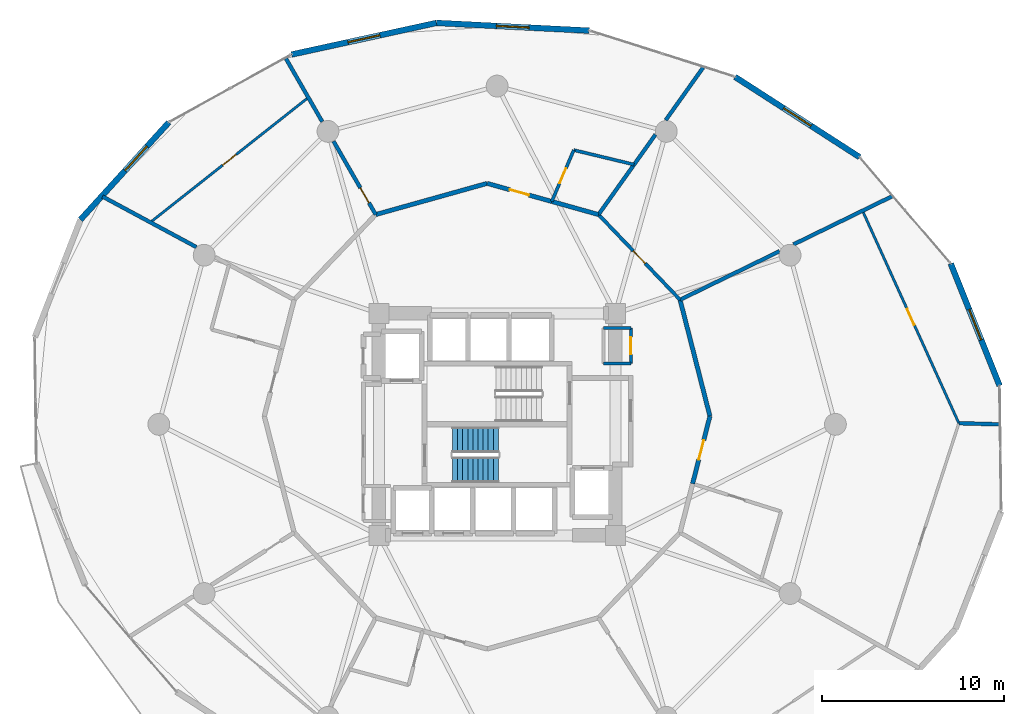
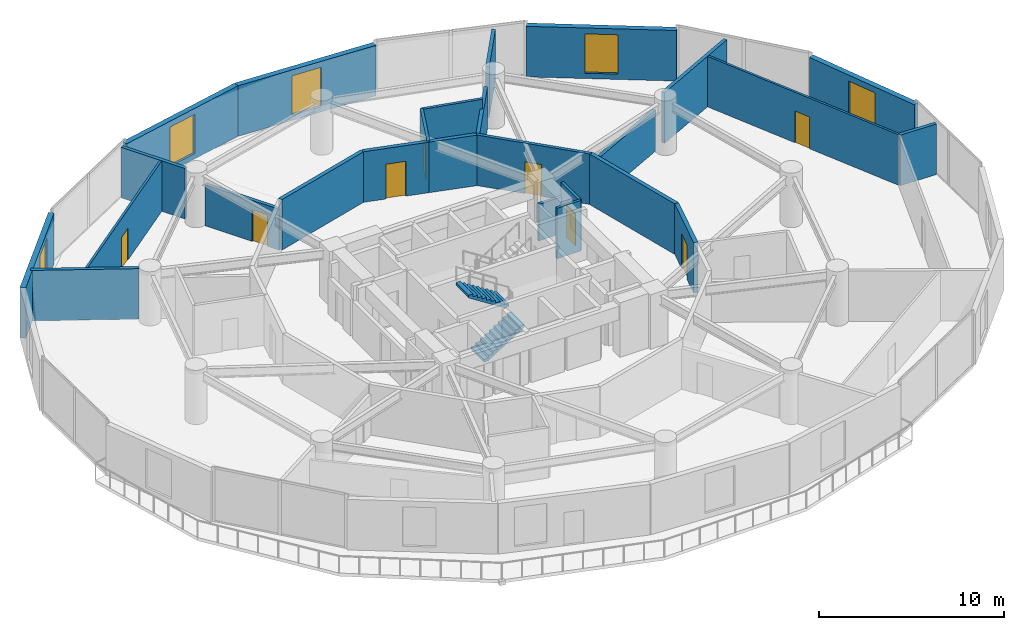
# One storey, part 19 of 23: 26 walls, 8 doors, 5 windows, 2 stair flights, 13 openings, 1 element without a shape of its own.
"""IFC4 building model written with IfcOpenShell, lengths in metres."""

from ifc_helpers import new_model, si_unit, direction, frame, frame_2d, origin, place, context, subcontext, project, spatial, polyline, rectangle, outline, extrude, material, layer, layer_set, type_object, element, fill, aggregate, save


model = new_model("IFC4")

# Units and contexts
model_context = context("Model", 3, precision=1e-05, world=origin(), true_north=direction((0.0, 1.0)))
body_context = subcontext(model_context, "Body", "Model", "MODEL_VIEW")
ifc_project = project(units=[si_unit("LENGTHUNIT", "METRE"), si_unit("AREAUNIT", "SQUARE_METRE"), si_unit("VOLUMEUNIT", "CUBIC_METRE"), si_unit("PLANEANGLEUNIT", "RADIAN"), si_unit("MASSUNIT", "GRAM", prefix="KILO")], contexts=[model_context])

# Site, building, storey
site_placement = place(None, origin())
site = spatial("IfcSite", under=ifc_project, at=site_placement, CompositionType="ELEMENT")
building_placement = place(site_placement, origin())
building = spatial("IfcBuilding", under=site, at=building_placement, Name="Solvirekh Grand Hotel", CompositionType="ELEMENT")
storey_placement = place(building_placement, frame((0.0, 0.0, 46.39990234375)))
storey = spatial("IfcBuildingStorey", under=building, at=storey_placement, Name="L10", CompositionType="ELEMENT", Elevation=46.39990234375)

# Wall, opening, window
ifc_material_1 = material(Name="Precast concrete C45/55", Category="concrete")
ifc_layer_1 = layer(ifc_material_1, 0.320068359375)
ifc_layer_set_1 = layer_set([ifc_layer_1], Name="Precast concrete C45/55")
wall_type_1 = type_object("IfcWallType", Name="ExtLobbyWall_RC320", PredefinedType="SOLIDWALL", material=ifc_layer_set_1)
wall_1_placement = place(storey_placement, frame((24.944091796875, 8.842041015625, 0.0), z_axis=(0.0, 0.0, 1.0), x_axis=(0.371035671342, -0.928618614175, 0.0)))
wall_1 = element("IfcWall", 1, at=wall_1_placement, inside=storey, type_object=wall_type_1, Name="L10 exterior structural wall chord 2", PredefinedType="SOLIDWALL", context=body_context, shape_type="SweptSolid", body=[
    extrude(rectangle(XDim=7.2333984375, YDim=0.320068359375, at=frame_2d((3.61669921875, 0.0))), origin(), (0.0, 0.0, 1.0), 3.340087890625),
])
opening_1_placement = place(wall_1_placement, frame((2.717041015625, 0.0, 0.35009765625)))
opening_1 = element("IfcOpeningElement", 2, at=opening_1_placement, cuts=wall_1, Name="Opening W02", PredefinedType="OPENING", context=body_context, shape_type="SweptSolid", body=[
    extrude(rectangle(XDim=1.800048828125, YDim=2.60009765625, at=frame_2d((0.89990234375, 1.300048828125))), frame((0.0, 0.169921875, 0.0), z_axis=(0.0, -1.0, 0.0), x_axis=(1.0, 0.0, 0.0)), (0.0, 0.0, 1.0), 0.340087890625),
])
ifc_material_2 = material(Name="Low-E Tinted Bronze Laminated Glass", Category="aluminium")
window_type = type_object("IfcWindowType", Name="Win_LobbyExt_1800X2600", PartitioningType="SINGLE_PANEL", PredefinedType="WINDOW", material=ifc_material_2)
window_1_placement = place(opening_1_placement, origin())
window_1 = element("IfcWindow", 3, at=window_1_placement, inside=storey, type_object=window_type, Name="L10 panoramic bronze-framed window 2", OverallHeight=2.60009765625, OverallWidth=1.800048828125, PartitioningType="SINGLE_PANEL", PredefinedType="WINDOW", context=body_context, shape_type="SweptSolid", body=[
    extrude(rectangle(XDim=1.800048828125, YDim=2.60009765625, at=frame_2d((0.89990234375, 1.300048828125))), frame((0.0, 0.030029296875, 0.0), z_axis=(0.0, -1.0, 0.0), x_axis=(1.0, 0.0, 0.0)), (0.0, 0.0, 1.0), 0.06005859375),
])
fill(opening_1, window_1)

wall_2_placement = place(storey_placement, frame((13.080078125, 19.10693359375, 0.0), z_axis=(0.0, 0.0, 1.0), x_axis=(0.840690454994, -0.541515982111, 0.0)))
wall_2 = element("IfcWall", 4, at=wall_2_placement, inside=storey, type_object=wall_type_1, Name="L10 exterior structural wall chord 4", PredefinedType="SOLIDWALL", context=body_context, shape_type="SweptSolid", body=[
    extrude(rectangle(XDim=8.149169921875, YDim=0.320068359375, at=frame_2d((4.07470703125, 0.0))), origin(), (0.0, 0.0, 1.0), 3.340087890625),
])
opening_2_placement = place(wall_2_placement, frame((3.175048828125, 0.0, 0.35009765625)))
opening_2 = element("IfcOpeningElement", 5, at=opening_2_placement, cuts=wall_2, Name="Opening W02", PredefinedType="OPENING", context=body_context, shape_type="SweptSolid", body=[
    extrude(rectangle(XDim=1.800048828125, YDim=2.60009765625, at=frame_2d((0.89990234375, 1.300048828125))), frame((0.0, 0.169921875, 0.0), z_axis=(0.0, -1.0, 0.0), x_axis=(1.0, 0.0, 0.0)), (0.0, 0.0, 1.0), 0.340087890625),
])
window_2_placement = place(opening_2_placement, origin())
window_2 = element("IfcWindow", 6, at=window_2_placement, inside=storey, type_object=window_type, Name="L10 panoramic bronze-framed window 4", OverallHeight=2.60009765625, OverallWidth=1.800048828125, PartitioningType="SINGLE_PANEL", PredefinedType="WINDOW", context=body_context, shape_type="SweptSolid", body=[
    extrude(rectangle(XDim=1.800048828125, YDim=2.60009765625, at=frame_2d((0.89990234375, 1.300048828125))), frame((0.0, 0.030029296875, 0.0), z_axis=(0.0, -1.0, 0.0), x_axis=(1.0, 0.0, 0.0)), (0.0, 0.0, 1.0), 0.06005859375),
])
fill(opening_2, window_2)

wall_3_placement = place(storey_placement, frame((-3.341064453125, 22.072998046875, 0.0), z_axis=(0.0, 0.0, 1.0), x_axis=(0.998734545301, -0.050292226268, 0.0)))
wall_3 = element("IfcWall", 7, at=wall_3_placement, inside=storey, type_object=wall_type_1, Name="L10 exterior structural wall chord 6", PredefinedType="SOLIDWALL", context=body_context, shape_type="SweptSolid", body=[
    extrude(rectangle(XDim=8.412841796875, YDim=0.320068359375, at=frame_2d((4.20654296875, 0.0))), origin(), (0.0, 0.0, 1.0), 3.340087890625),
])
opening_3_placement = place(wall_3_placement, frame((3.305908203125, 0.0, 0.35009765625)))
opening_3 = element("IfcOpeningElement", 8, at=opening_3_placement, cuts=wall_3, Name="Opening W02", PredefinedType="OPENING", context=body_context, shape_type="SweptSolid", body=[
    extrude(rectangle(XDim=1.800048828125, YDim=2.60009765625, at=frame_2d((0.89990234375, 1.300048828125))), frame((0.0, 0.169921875, 0.0), z_axis=(0.0, -1.0, 0.0), x_axis=(1.0, 0.0, 0.0)), (0.0, 0.0, 1.0), 0.340087890625),
])
window_3_placement = place(opening_3_placement, origin())
window_3 = element("IfcWindow", 9, at=window_3_placement, inside=storey, type_object=window_type, Name="L10 panoramic bronze-framed window 6", OverallHeight=2.60009765625, OverallWidth=1.800048828125, PartitioningType="SINGLE_PANEL", PredefinedType="WINDOW", context=body_context, shape_type="SweptSolid", body=[
    extrude(rectangle(XDim=1.800048828125, YDim=2.60009765625, at=frame_2d((0.89990234375, 1.300048828125))), frame((0.0, 0.030029296875, 0.0), z_axis=(0.0, -1.0, 0.0), x_axis=(1.0, 0.0, 0.0)), (0.0, 0.0, 1.0), 0.06005859375),
])
fill(opening_3, window_3)

wall_4_placement = place(storey_placement, frame((-11.302978515625, 20.3359375, 0.0), z_axis=(0.0, 0.0, 1.0), x_axis=(0.977017916809, 0.213157196066, 0.0)))
wall_4 = element("IfcWall", 10, at=wall_4_placement, inside=storey, type_object=wall_type_1, Name="L10 exterior structural wall chord 7", PredefinedType="SOLIDWALL", context=body_context, shape_type="SweptSolid", body=[
    extrude(rectangle(XDim=8.149169921875, YDim=0.320068359375, at=frame_2d((4.07470703125, 0.0))), origin(), (0.0, 0.0, 1.0), 3.340087890625),
])
opening_4_placement = place(wall_4_placement, frame((3.175048828125, 0.0, 0.35009765625)))
opening_4 = element("IfcOpeningElement", 11, at=opening_4_placement, cuts=wall_4, Name="Opening W02", PredefinedType="OPENING", context=body_context, shape_type="SweptSolid", body=[
    extrude(rectangle(XDim=1.800048828125, YDim=2.60009765625, at=frame_2d((0.89990234375, 1.300048828125))), frame((0.0, 0.169921875, 0.0), z_axis=(0.0, -1.0, 0.0), x_axis=(1.0, 0.0, 0.0)), (0.0, 0.0, 1.0), 0.340087890625),
])
window_4_placement = place(opening_4_placement, origin())
window_4 = element("IfcWindow", 12, at=window_4_placement, inside=storey, type_object=window_type, Name="L10 panoramic bronze-framed window 7", OverallHeight=2.60009765625, OverallWidth=1.800048828125, PartitioningType="SINGLE_PANEL", PredefinedType="WINDOW", context=body_context, shape_type="SweptSolid", body=[
    extrude(rectangle(XDim=1.800048828125, YDim=2.60009765625, at=frame_2d((0.89990234375, 1.300048828125))), frame((0.0, 0.030029296875, 0.0), z_axis=(0.0, -1.0, 0.0), x_axis=(1.0, 0.0, 0.0)), (0.0, 0.0, 1.0), 0.06005859375),
])
fill(opening_4, window_4)

wall_5_placement = place(storey_placement, frame((-22.910888671875, 11.2548828125, 0.0), z_axis=(0.0, 0.0, 1.0), x_axis=(0.67247451432, 0.740120279137, 0.0)))
wall_5 = element("IfcWall", 13, at=wall_5_placement, inside=storey, type_object=wall_type_1, Name="L10 exterior structural wall chord 9", PredefinedType="SOLIDWALL", context=body_context, shape_type="SweptSolid", body=[
    extrude(rectangle(XDim=7.232666015625, YDim=0.320068359375, at=frame_2d((3.6162109375, 0.0))), origin(), (0.0, 0.0, 1.0), 3.340087890625),
])
opening_5_placement = place(wall_5_placement, frame((3.64501953125, 0.0, 0.35009765625)))
opening_5 = element("IfcOpeningElement", 14, at=opening_5_placement, cuts=wall_5, Name="Opening W02", PredefinedType="OPENING", context=body_context, shape_type="SweptSolid", body=[
    extrude(rectangle(XDim=1.800048828125, YDim=2.60009765625, at=frame_2d((0.89990234375, 1.300048828125))), frame((0.0, 0.169921875, 0.0), z_axis=(0.0, -1.0, 0.0), x_axis=(1.0, 0.0, 0.0)), (0.0, 0.0, 1.0), 0.340087890625),
])
window_5_placement = place(opening_5_placement, origin())
window_5 = element("IfcWindow", 15, at=window_5_placement, inside=storey, type_object=window_type, Name="L10 panoramic bronze-framed window 9", OverallHeight=2.60009765625, OverallWidth=1.800048828125, PartitioningType="SINGLE_PANEL", PredefinedType="WINDOW", context=body_context, shape_type="SweptSolid", body=[
    extrude(rectangle(XDim=1.800048828125, YDim=2.60009765625, at=frame_2d((0.89990234375, 1.300048828125))), frame((0.0, 0.030029296875, 0.0), z_axis=(0.0, -1.0, 0.0), x_axis=(1.0, 0.0, 0.0)), (0.0, 0.0, 1.0), 0.06005859375),
])
fill(opening_5, window_5)

# Wall
ifc_material_3 = material(Name="Acoustic Gypsum Partition Assembly")
ifc_layer_2 = layer(ifc_material_3, 0.1650390625)
ifc_layer_set_2 = layer_set([ifc_layer_2], Name="Acoustic Gypsum Partition Assembly")
wall_type_2 = type_object("IfcWallType", Name="Part_BOH_165", PredefinedType="PARTITIONING", material=ifc_layer_set_2)
wall_6_placement = place(storey_placement, frame((5.85009765625, 3.35009765625, 0.0), z_axis=(0.0, 0.0, 1.0), x_axis=(1.0, 0.0, 0.0)))
element("IfcWall", 16, at=wall_6_placement, inside=storey, type_object=wall_type_2, Name="L10 L10 Core Housekeeping Room wall 1", PredefinedType="PARTITIONING", context=body_context, shape_type="SweptSolid", body=[
    extrude(rectangle(XDim=1.5, YDim=0.1650390625, at=frame_2d((0.75, 0.0))), origin(), (0.0, 0.0, 1.0), 3.340087890625),
])

# Wall, opening, door
wall_7_placement = place(storey_placement, frame((7.35009765625, 3.35009765625, 0.0), z_axis=(0.0, 0.0, 1.0), x_axis=(0.0, 1.0, 0.0)))
wall_7 = element("IfcWall", 17, at=wall_7_placement, inside=storey, type_object=wall_type_2, Name="L10 L10 Core Housekeeping Room wall 2", PredefinedType="PARTITIONING", context=body_context, shape_type="SweptSolid", body=[
    extrude(rectangle(XDim=1.949951171875, YDim=0.1650390625, at=frame_2d((0.97509765625, 0.0))), origin(), (0.0, 0.0, 1.0), 3.340087890625),
])
opening_6_placement = place(wall_7_placement, frame((0.5, 0.0, 0.0)))
opening_6 = element("IfcOpeningElement", 18, at=opening_6_placement, cuts=wall_7, Name="Opening D10", PredefinedType="OPENING", context=body_context, shape_type="SweptSolid", body=[
    extrude(rectangle(XDim=0.949951171875, YDim=2.10009765625, at=frame_2d((0.47509765625, 1.050048828125))), frame((0.0, 0.092529296875, 0.0), z_axis=(0.0, -1.0, 0.0), x_axis=(1.0, 0.0, 0.0)), (0.0, 0.0, 1.0), 0.18505859375),
])
ifc_material_4 = material(Name="Anodized Bronze Aluminium 6063-T6", Category="aluminium")
door_type_1 = type_object("IfcDoorType", Name="Door_RoomInt_950X2100", OperationType="NOTDEFINED", PredefinedType="DOOR", material=ifc_material_4)
door_1_placement = place(opening_6_placement, origin())
door_1 = element("IfcDoor", 19, at=door_1_placement, inside=storey, type_object=door_type_1, Name="L10 L10 Core Housekeeping Room door", OperationType="SINGLE_SWING_RIGHT", OverallHeight=2.10009765625, OverallWidth=0.949951171875, PredefinedType="DOOR", context=body_context, shape_type="SweptSolid", body=[
    extrude(rectangle(XDim=0.949951171875, YDim=2.10009765625, at=frame_2d((0.47509765625, 1.050048828125))), frame((0.0, 0.02490234375, 0.0), z_axis=(0.0, -1.0, 0.0), x_axis=(1.0, 0.0, 0.0)), (0.0, 0.0, 1.0), 0.050048828125),
])
fill(opening_6, door_1)

# Walls
wall_8_placement = place(storey_placement, frame((7.35009765625, 5.300048828125, 0.0), z_axis=(0.0, 0.0, 1.0), x_axis=(-1.0, 0.0, 0.0)))
element("IfcWall", 20, at=wall_8_placement, inside=storey, type_object=wall_type_2, Name="L10 L10 Core Housekeeping Room wall 3", PredefinedType="PARTITIONING", context=body_context, shape_type="SweptSolid", body=[
    extrude(rectangle(XDim=1.5, YDim=0.1650390625, at=frame_2d((0.75, 0.0))), origin(), (0.0, 0.0, 1.0), 2.425048828125),
])
ifc_layer_3 = layer(ifc_material_3, 0.239990234375)
ifc_layer_set_3 = layer_set([ifc_layer_3], Name="Acoustic Gypsum Partition Assembly")
wall_type_3 = type_object("IfcWallType", Name="Part_Corridor_240", PredefinedType="PARTITIONING", material=ifc_layer_set_3)
wall_9_placement = place(storey_placement, frame((5.574951171875, 11.534912109375, 0.0), z_axis=(0.0, 0.0, 1.0), x_axis=(-0.962983004146, 0.269562114782, 0.0)))
element("IfcWall", 21, at=wall_9_placement, inside=storey, type_object=wall_type_3, Name="L10 En-suite Bathroom 1201 corridor backing wall", PredefinedType="PARTITIONING", context=body_context, shape_type="SweptSolid", body=[
    extrude(rectangle(XDim=2.6708984375, YDim=0.239990234375, at=frame_2d((1.33544921875, 0.0))), origin(), (0.0, 0.0, 1.0), 3.340087890625),
])
wall_10_placement = place(storey_placement, frame((-0.550048828125, 13.25, 0.0), z_axis=(0.0, 0.0, 1.0), x_axis=(-0.962960431872, -0.269642738915, 0.0)))
element("IfcWall", 22, at=wall_10_placement, inside=storey, type_object=wall_type_3, Name="L10 Diplomatic Suite 1201 Living Room corridor wall 1", PredefinedType="PARTITIONING", context=body_context, shape_type="SweptSolid", body=[
    extrude(rectangle(XDim=6.360595703125, YDim=0.239990234375, at=frame_2d((3.18017578125, 0.0))), origin(), (0.0, 0.0, 1.0), 3.340087890625),
])

# Wall, opening, door
wall_11_placement = place(storey_placement, frame((3.0029296875, 12.2548828125, 0.0), z_axis=(0.0, 0.0, 1.0), x_axis=(-0.962944088122, 0.269701099648, 0.0)))
wall_11 = element("IfcWall", 23, at=wall_11_placement, inside=storey, type_object=wall_type_3, Name="L10 Diplomatic Suite 1201 Living Room entrance wall", PredefinedType="PARTITIONING", context=body_context, shape_type="SweptSolid", body=[
    extrude(rectangle(XDim=3.689697265625, YDim=0.239990234375, at=frame_2d((1.8447265625, 0.0))), origin(), (0.0, 0.0, 1.0), 3.340087890625),
])
opening_7_placement = place(wall_11_placement, frame((1.294921875, 0.0, 0.0)))
opening_7 = element("IfcOpeningElement", 24, at=opening_7_placement, cuts=wall_11, Name="Opening D08", PredefinedType="OPENING", context=body_context, shape_type="SweptSolid", body=[
    extrude(rectangle(XDim=1.10009765625, YDim=2.300048828125, at=frame_2d((0.550048828125, 1.14990234375))), frame((0.0, 0.1298828125, 0.0), z_axis=(0.0, -1.0, 0.0), x_axis=(1.0, 0.0, 0.0)), (0.0, 0.0, 1.0), 0.260009765625),
])
ifc_material_5 = material(Name="Fire-Rated Steel Door Assembly", Category="steel")
door_type_2 = type_object("IfcDoorType", Name="Door_SuiteEntry_1100X2300", OperationType="NOTDEFINED", PredefinedType="DOOR", material=ifc_material_5)
door_2_placement = place(opening_7_placement, origin())
door_2 = element("IfcDoor", 25, at=door_2_placement, inside=storey, type_object=door_type_2, Name="L10 Diplomatic Suite 1201 Living Room entrance door", OperationType="SINGLE_SWING_RIGHT", OverallHeight=2.300048828125, OverallWidth=1.10009765625, PredefinedType="DOOR", context=body_context, shape_type="SweptSolid", body=[
    extrude(rectangle(XDim=1.10009765625, YDim=2.300048828125, at=frame_2d((0.550048828125, 1.14990234375))), frame((0.0, 0.02490234375, 0.0), z_axis=(0.0, -1.0, 0.0), x_axis=(1.0, 0.0, 0.0)), (0.0, 0.0, 1.0), 0.050048828125),
])
fill(opening_7, door_2)

# Wall
wall_12_placement = place(storey_placement, frame((11.699951171875, 0.449951171875, 0.0), z_axis=(0.0, 0.0, 1.0), x_axis=(-0.248347790771, 0.968670932164, 0.0)))
element("IfcWall", 26, at=wall_12_placement, inside=storey, type_object=wall_type_3, Name="L10 Executive Suite 1204 Living Room corridor wall 1", PredefinedType="PARTITIONING", context=body_context, shape_type="SweptSolid", body=[
    extrude(rectangle(XDim=6.607177734375, YDim=0.239990234375, at=frame_2d((3.3037109375, 0.0))), origin(), (0.0, 0.0, 1.0), 3.340087890625),
])

# Wall, opening, door
wall_13_placement = place(storey_placement, frame((10.748046875, -3.261962890625, 0.0), z_axis=(0.0, 0.0, 1.0), x_axis=(0.248407539497, 0.968655611826, 0.0)))
wall_13 = element("IfcWall", 27, at=wall_13_placement, inside=storey, type_object=wall_type_3, Name="L10 Executive Suite 1204 Living Room entrance wall", PredefinedType="PARTITIONING", context=body_context, shape_type="SweptSolid", body=[
    extrude(rectangle(XDim=3.83203125, YDim=0.239990234375, at=frame_2d((1.916015625, 0.0))), origin(), (0.0, 0.0, 1.0), 3.340087890625),
])
opening_8_placement = place(wall_13_placement, frame((1.365966796875, 0.0, 0.0)))
opening_8 = element("IfcOpeningElement", 28, at=opening_8_placement, cuts=wall_13, Name="Opening D08", PredefinedType="OPENING", context=body_context, shape_type="SweptSolid", body=[
    extrude(rectangle(XDim=1.10009765625, YDim=2.300048828125, at=frame_2d((0.550048828125, 1.14990234375))), frame((0.0, 0.1298828125, 0.0), z_axis=(0.0, -1.0, 0.0), x_axis=(1.0, 0.0, 0.0)), (0.0, 0.0, 1.0), 0.260009765625),
])
door_3_placement = place(opening_8_placement, origin())
door_3 = element("IfcDoor", 29, at=door_3_placement, inside=storey, type_object=door_type_2, Name="L10 Executive Suite 1204 Living Room entrance door", OperationType="SINGLE_SWING_RIGHT", OverallHeight=2.300048828125, OverallWidth=1.10009765625, PredefinedType="DOOR", context=body_context, shape_type="SweptSolid", body=[
    extrude(rectangle(XDim=1.10009765625, YDim=2.300048828125, at=frame_2d((0.550048828125, 1.14990234375))), frame((0.0, 0.02490234375, 0.0), z_axis=(0.0, -1.0, 0.0), x_axis=(1.0, 0.0, 0.0)), (0.0, 0.0, 1.0), 0.050048828125),
])
fill(opening_8, door_3)

ifc_layer_4 = layer(ifc_material_3, 0.18994140625)
ifc_layer_set_4 = layer_set([ifc_layer_4], Name="Acoustic Gypsum Partition Assembly")
wall_type_4 = type_object("IfcWallType", Name="Part_GuestDemise_190", PredefinedType="PARTITIONING", material=ifc_layer_set_4)
wall_14_placement = place(storey_placement, frame((10.05908203125, 6.85009765625, 0.0), z_axis=(0.0, 0.0, 1.0), x_axis=(-0.691464507588, 0.722410433719, 0.0)))
wall_14 = element("IfcWall", 30, at=wall_14_placement, inside=storey, type_object=wall_type_4, Name="L10 L10 Diplomatic Study Lounge entrance wall", PredefinedType="PARTITIONING", context=body_context, shape_type="SweptSolid", body=[
    extrude(rectangle(XDim=6.48486328125, YDim=0.18994140625, at=frame_2d((3.242431640625, 0.0))), origin(), (0.0, 0.0, 1.0), 3.340087890625),
])
opening_9_placement = place(wall_14_placement, frame((2.76806640625, 0.0, 0.0)))
opening_9 = element("IfcOpeningElement", 31, at=opening_9_placement, cuts=wall_14, Name="Opening D10", PredefinedType="OPENING", context=body_context, shape_type="SweptSolid", body=[
    extrude(rectangle(XDim=0.949951171875, YDim=2.10009765625, at=frame_2d((0.47509765625, 1.050048828125))), frame((0.0, 0.10498046875, 0.0), z_axis=(0.0, -1.0, 0.0), x_axis=(1.0, 0.0, 0.0)), (0.0, 0.0, 1.0), 0.2099609375),
])
door_4_placement = place(opening_9_placement, origin())
door_4 = element("IfcDoor", 32, at=door_4_placement, inside=storey, type_object=door_type_1, Name="L10 L10 Diplomatic Study Lounge entrance door", OperationType="SINGLE_SWING_LEFT", OverallHeight=2.10009765625, OverallWidth=0.949951171875, PredefinedType="DOOR", context=body_context, shape_type="SweptSolid", body=[
    extrude(rectangle(XDim=0.949951171875, YDim=2.10009765625, at=frame_2d((0.47509765625, 1.050048828125))), frame((0.0, 0.02490234375, 0.0), z_axis=(0.0, -1.0, 0.0), x_axis=(1.0, 0.0, 0.0)), (0.0, 0.0, 1.0), 0.050048828125),
])
fill(opening_9, door_4)

ifc_layer_5 = layer(ifc_material_3, 0.135009765625)
ifc_layer_set_5 = layer_set([ifc_layer_5], Name="Acoustic Gypsum Partition Assembly")
wall_type_5 = type_object("IfcWallType", Name="Part_RoomInt_135", PredefinedType="PARTITIONING", material=ifc_layer_set_5)
wall_15_placement = place(storey_placement, frame((-10.3798828125, 17.971923828125, 0.0), z_axis=(0.0, 0.0, 1.0), x_axis=(-0.784634878258, -0.619958150056, 0.0)))
wall_15 = element("IfcWall", 33, at=wall_15_placement, inside=storey, type_object=wall_type_5, Name="L10 Diplomatic Suite 1201 Suite Foyer bedroom screen wall", PredefinedType="PARTITIONING", context=body_context, shape_type="SweptSolid", body=[
    extrude(rectangle(XDim=11.070068359375, YDim=0.135009765625, at=frame_2d((5.53515625, 0.0))), origin(), (0.0, 0.0, 1.0), 3.340087890625),
])
opening_10_placement = place(wall_15_placement, frame((5.06005859375, 0.0, 0.0)))
opening_10 = element("IfcOpeningElement", 34, at=opening_10_placement, cuts=wall_15, Name="Opening D10", PredefinedType="OPENING", context=body_context, shape_type="SweptSolid", body=[
    extrude(rectangle(XDim=0.949951171875, YDim=2.10009765625, at=frame_2d((0.47509765625, 1.050048828125))), frame((0.0, 0.07763671875, 0.0), z_axis=(0.0, -1.0, 0.0), x_axis=(1.0, 0.0, 0.0)), (0.0, 0.0, 1.0), 0.155029296875),
])
door_5_placement = place(opening_10_placement, origin())
door_5 = element("IfcDoor", 35, at=door_5_placement, inside=storey, type_object=door_type_1, Name="L10 Diplomatic Suite 1201 Suite Foyer master bedroom door", OperationType="SINGLE_SWING_RIGHT", OverallHeight=2.10009765625, OverallWidth=0.949951171875, PredefinedType="DOOR", context=body_context, shape_type="SweptSolid", body=[
    extrude(rectangle(XDim=0.949951171875, YDim=2.10009765625, at=frame_2d((0.47509765625, 1.050048828125))), frame((0.0, 0.02490234375, 0.0), z_axis=(0.0, -1.0, 0.0), x_axis=(1.0, 0.0, 0.0)), (0.0, 0.0, 1.0), 0.050048828125),
])
fill(opening_10, door_5)

wall_16_placement = place(storey_placement, frame((25.387939453125, 0.06298828125, 0.0), z_axis=(0.0, 0.0, 1.0), x_axis=(-0.413014096603, 0.910724632371, 0.0)))
wall_16 = element("IfcWall", 36, at=wall_16_placement, inside=storey, type_object=wall_type_5, Name="L10 Executive Suite 1204 Panorama Suite Study bedroom screen wall", PredefinedType="PARTITIONING", context=body_context, shape_type="SweptSolid", body=[
    extrude(rectangle(XDim=12.827392578125, YDim=0.135009765625, at=frame_2d((6.41357421875, 0.0))), origin(), (0.0, 0.0, 1.0), 3.340087890625),
])
opening_11_placement = place(wall_16_placement, frame((5.93896484375, 0.0, 0.0)))
opening_11 = element("IfcOpeningElement", 37, at=opening_11_placement, cuts=wall_16, Name="Opening D10", PredefinedType="OPENING", context=body_context, shape_type="SweptSolid", body=[
    extrude(rectangle(XDim=0.949951171875, YDim=2.10009765625, at=frame_2d((0.47509765625, 1.050048828125))), frame((0.0, 0.07763671875, 0.0), z_axis=(0.0, -1.0, 0.0), x_axis=(1.0, 0.0, 0.0)), (0.0, 0.0, 1.0), 0.155029296875),
])
door_6_placement = place(opening_11_placement, origin())
door_6 = element("IfcDoor", 38, at=door_6_placement, inside=storey, type_object=door_type_1, Name="L10 Executive Suite 1204 Panorama Suite Study master bedroom door", OperationType="SINGLE_SWING_RIGHT", OverallHeight=2.10009765625, OverallWidth=0.949951171875, PredefinedType="DOOR", context=body_context, shape_type="SweptSolid", body=[
    extrude(rectangle(XDim=0.949951171875, YDim=2.10009765625, at=frame_2d((0.47509765625, 1.050048828125))), frame((0.0, 0.02490234375, 0.0), z_axis=(0.0, -1.0, 0.0), x_axis=(1.0, 0.0, 0.0)), (0.0, 0.0, 1.0), 0.050048828125),
])
fill(opening_11, door_6)

# Walls
ifc_layer_6 = layer(ifc_material_3, 0.2099609375)
ifc_layer_set_6 = layer_set([ifc_layer_6], Name="Acoustic Gypsum Partition Assembly")
wall_type_6 = type_object("IfcWallType", Name="Part_SuiteDemise_210", PredefinedType="PARTITIONING", material=ifc_layer_set_6)
wall_17_placement = place(storey_placement, frame((10.05908203125, 6.85009765625, 0.0), z_axis=(0.0, 0.0, 1.0), x_axis=(0.898694403509, 0.438575385883, 0.0)))
element("IfcWall", 39, at=wall_17_placement, inside=storey, type_object=wall_type_6, Name="L10 suite radial wall 2 (A)", PredefinedType="PARTITIONING", context=body_context, shape_type="SweptSolid", body=[
    extrude(rectangle(XDim=6.08544921875, YDim=0.2099609375, at=frame_2d((3.042724609375, 0.0))), origin(), (0.0, 0.0, 1.0), 2.708984375),
])
wall_18_placement = place(storey_placement, frame((16.2919921875, 9.89208984375, 0.0), z_axis=(0.0, 0.0, 1.0), x_axis=(0.898724176439, 0.438514372266, 0.0)))
element("IfcWall", 40, at=wall_18_placement, inside=storey, type_object=wall_type_6, Name="L10 suite radial wall 2 (B)", PredefinedType="PARTITIONING", context=body_context, shape_type="SweptSolid", body=[
    extrude(rectangle(XDim=6.04296875, YDim=0.2099609375, at=frame_2d((3.021484375, 0.0))), origin(), (0.0, 0.0, 1.0), 3.340087890625),
])
wall_19_placement = place(storey_placement, frame((5.574951171875, 11.534912109375, 0.0), z_axis=(0.0, 0.0, 1.0), x_axis=(0.579748671229, 0.814795359712, 0.0)))
element("IfcWall", 41, at=wall_19_placement, inside=storey, type_object=wall_type_6, Name="L10 suite radial wall 3 (A)", PredefinedType="PARTITIONING", context=body_context, shape_type="SweptSolid", body=[
    extrude(rectangle(XDim=5.399169921875, YDim=0.2099609375, at=frame_2d((2.69970703125, 0.0))), origin(), (0.0, 0.0, 1.0), 2.708984375),
])
wall_20_placement = place(storey_placement, frame((9.26904296875, 16.72705078125, 0.0), z_axis=(0.0, 0.0, 1.0), x_axis=(0.579683056025, 0.814842042704, 0.0)))
element("IfcWall", 42, at=wall_20_placement, inside=storey, type_object=wall_type_6, Name="L10 suite radial wall 3 (B)", PredefinedType="PARTITIONING", context=body_context, shape_type="SweptSolid", body=[
    extrude(rectangle(XDim=3.5517578125, YDim=0.2099609375, at=frame_2d((1.77587890625, 0.0))), origin(), (0.0, 0.0, 1.0), 3.340087890625),
])

# Wall, opening, door
wall_21_placement = place(storey_placement, frame((-6.675048828125, 11.534912109375, 0.0), z_axis=(0.0, 0.0, 1.0), x_axis=(-0.498786523098, 0.866724872365, 0.0)))
wall_21 = element("IfcWall", 43, at=wall_21_placement, inside=storey, type_object=wall_type_6, Name="L10 suite radial wall 5 (A)", PredefinedType="PARTITIONING", context=body_context, shape_type="SweptSolid", body=[
    extrude(rectangle(XDim=4.6533203125, YDim=0.2099609375, at=frame_2d((2.32666015625, 0.0))), origin(), (0.0, 0.0, 1.0), 2.708984375),
])
opening_12_placement = place(wall_21_placement, frame((0.740966796875, 0.0, 0.0)))
opening_12 = element("IfcOpeningElement", 44, at=opening_12_placement, cuts=wall_21, Name="Opening D10", PredefinedType="OPENING", context=body_context, shape_type="SweptSolid", body=[
    extrude(rectangle(XDim=0.949951171875, YDim=2.10009765625, at=frame_2d((0.47509765625, 1.050048828125))), frame((0.0, 0.114990234375, 0.0), z_axis=(0.0, -1.0, 0.0), x_axis=(1.0, 0.0, 0.0)), (0.0, 0.0, 1.0), 0.22998046875),
])
door_7_placement = place(opening_12_placement, origin())
door_7 = element("IfcDoor", 45, at=door_7_placement, inside=storey, type_object=door_type_1, Name="L10 Diplomatic Suite 1201 Suite Foyer suite connecting door", OperationType="SINGLE_SWING_LEFT", OverallHeight=2.10009765625, OverallWidth=0.949951171875, PredefinedType="DOOR", context=body_context, shape_type="SweptSolid", body=[
    extrude(rectangle(XDim=0.949951171875, YDim=2.10009765625, at=frame_2d((0.47509765625, 1.050048828125))), frame((0.0, 0.02490234375, 0.0), z_axis=(0.0, -1.0, 0.0), x_axis=(1.0, 0.0, 0.0)), (0.0, 0.0, 1.0), 0.050048828125),
])
fill(opening_12, door_7)

# Walls
wall_22_placement = place(storey_placement, frame((-9.614990234375, 16.64208984375, 0.0), z_axis=(0.0, 0.0, 1.0), x_axis=(-0.498733039203, 0.866755649308, 0.0)))
element("IfcWall", 46, at=wall_22_placement, inside=storey, type_object=wall_type_6, Name="L10 suite radial wall 5 (B)", PredefinedType="PARTITIONING", context=body_context, shape_type="SweptSolid", body=[
    extrude(rectangle(XDim=4.01025390625, YDim=0.2099609375, at=frame_2d((2.005126953125, 0.0))), origin(), (0.0, 0.0, 1.0), 3.340087890625),
])
wall_23_placement = place(storey_placement, frame((-16.537109375, 9.7470703125, 0.0), z_axis=(0.0, 0.0, 1.0), x_axis=(-0.880366830353, 0.47429341553, 0.0)))
element("IfcWall", 47, at=wall_23_placement, inside=storey, type_object=wall_type_6, Name="L10 suite radial wall 6 (B)", PredefinedType="PARTITIONING", context=body_context, shape_type="SweptSolid", body=[
    extrude(rectangle(XDim=5.865478515625, YDim=0.2099609375, at=frame_2d((2.9326171875, 0.0))), origin(), (0.0, 0.0, 1.0), 3.340087890625),
])
wall_24_placement = place(storey_placement, frame((25.387939453125, 0.06298828125, 0.0), z_axis=(0.0, 0.0, 1.0), x_axis=(0.999600618216, -0.028259583552, 0.0)))
element("IfcWall", 48, at=wall_24_placement, inside=storey, type_object=wall_type_6, Name="L10 Executive Suite 1204 Living Room dividing partition 1", PredefinedType="PARTITIONING", context=body_context, shape_type="SweptSolid", body=[
    extrude(rectangle(XDim=2.22900390625, YDim=0.2099609375, at=frame_2d((1.114501953125, 0.0))), origin(), (0.0, 0.0, 1.0), 3.340087890625),
])
ifc_layer_7 = layer(ifc_material_3, 0.175048828125)
ifc_layer_set_7 = layer_set([ifc_layer_7], Name="Acoustic Gypsum Partition Assembly")
wall_type_7 = type_object("IfcWallType", Name="Plumb_Ensuite_175", PredefinedType="PLUMBINGWALL", material=ifc_layer_set_7)
wall_25_placement = place(storey_placement, frame((7.531005859375, 14.283935546875, 0.0), z_axis=(0.0, 0.0, 1.0), x_axis=(-0.972350237733, 0.233527332836, 0.0)))
element("IfcWall", 49, at=wall_25_placement, inside=storey, type_object=wall_type_7, Name="L10 En-suite Bathroom 1201 outer plumbing wall", PredefinedType="PLUMBINGWALL", context=body_context, shape_type="SweptSolid", body=[
    extrude(rectangle(XDim=3.4091796875, YDim=0.175048828125, at=frame_2d((1.70458984375, 0.0))), origin(), (0.0, 0.0, 1.0), 3.340087890625),
])

# Wall, opening, door
wall_26_placement = place(storey_placement, frame((3.0029296875, 12.2548828125, 0.0), z_axis=(0.0, 0.0, 1.0), x_axis=(0.394561284207, 0.918869627861, 0.0)))
wall_26 = element("IfcWall", 50, at=wall_26_placement, inside=storey, type_object=wall_type_7, Name="L10 En-suite Bathroom 1201 entry plumbing wall", PredefinedType="PLUMBINGWALL", context=body_context, shape_type="SweptSolid", body=[
    extrude(rectangle(XDim=3.07470703125, YDim=0.175048828125, at=frame_2d((1.537353515625, 0.0))), origin(), (0.0, 0.0, 1.0), 3.340087890625),
])
opening_13_placement = place(wall_26_placement, frame((1.0869140625, 0.0, 0.0)))
opening_13 = element("IfcOpeningElement", 51, at=opening_13_placement, cuts=wall_26, Name="Opening D09", PredefinedType="OPENING", context=body_context, shape_type="SweptSolid", body=[
    extrude(rectangle(XDim=0.89990234375, YDim=2.10009765625, at=frame_2d((0.449951171875, 1.050048828125))), frame((0.0, 0.09765625, 0.0), z_axis=(0.0, -1.0, 0.0), x_axis=(1.0, 0.0, 0.0)), (0.0, 0.0, 1.0), 0.195068359375),
])
door_type_3 = type_object("IfcDoorType", Name="Door_Ensuite_900X2100", OperationType="NOTDEFINED", PredefinedType="DOOR", material=ifc_material_4)
door_8_placement = place(opening_13_placement, origin())
door_8 = element("IfcDoor", 52, at=door_8_placement, inside=storey, type_object=door_type_3, Name="L10 En-suite Bathroom 1201 door", OperationType="SINGLE_SWING_LEFT", OverallHeight=2.10009765625, OverallWidth=0.89990234375, PredefinedType="DOOR", context=body_context, shape_type="SweptSolid", body=[
    extrude(rectangle(XDim=0.89990234375, YDim=2.10009765625, at=frame_2d((0.449951171875, 1.050048828125))), frame((0.0, 0.02490234375, 0.0), z_axis=(0.0, -1.0, 0.0), x_axis=(1.0, 0.0, 0.0)), (0.0, 0.0, 1.0), 0.050048828125),
])
fill(opening_13, door_8)

# Stair, stair flights
ifc_material_6 = material(Name="Concrete C40/50", Category="concrete")
stair_type = type_object("IfcStairType", Name="Stair_Core_1450", PredefinedType="HALF_TURN_STAIR", material=ifc_material_6)
stair_placement = place(storey_placement, origin())
stair = element("IfcStair", 53, at=stair_placement, inside=storey, type_object=stair_type, Name="L10 Enclosed exit stair ST-1", PredefinedType="HALF_TURN_STAIR")
stair_flight_type = type_object("IfcStairFlightType", Name="Flight_Core_1450", PredefinedType="STRAIGHT", material=ifc_material_6)
stair_flight_1_placement = place(storey_placement, frame((-2.449951171875, -2.5, 0.0), z_axis=(0.0, 0.0, 1.0), x_axis=(1.0, 0.0, 0.0)))
stair_flight_1 = element("IfcStairFlight", 54, at=stair_flight_1_placement, type_object=stair_flight_type, Name="ST-1 flight 1", NumberOfRisers=10, NumberOfTreads=9, PredefinedType="STRAIGHT", RiserHeight=0.18, TreadLength=0.28, context=body_context, shape_type="SweptSolid", body=[
    extrude(outline(polyline([(0.0, 0.0), (0.0, 0.179931640625), (0.280029296875, 0.179931640625), (0.280029296875, 0.360107421875), (0.56005859375, 0.360107421875), (0.56005859375, 0.5400390625), (0.840087890625, 0.5400390625), (0.840087890625, 0.719970703125), (1.1201171875, 0.719970703125), (1.1201171875, 0.89990234375), (1.39990234375, 0.89990234375), (1.39990234375, 1.080078125), (1.679931640625, 1.080078125), (1.679931640625, 1.260009765625), (1.9599609375, 1.260009765625), (1.9599609375, 1.43994140625), (2.239990234375, 1.43994140625), (2.239990234375, 1.6201171875), (2.52001953125, 1.6201171875), (2.52001953125, 1.800048828125), (2.52001953125, 1.44189453125), (0.277099609375, 0.0), (0.0, 0.0)])), frame((0.0, 0.699951171875, 0.0), z_axis=(0.0, -1.0, 0.0), x_axis=(1.0, 0.0, 0.0)), (0.0, 0.0, 1.0), 1.39990234375),
])
stair_flight_2_placement = place(storey_placement, frame((0.070068359375, -0.85009765625, 1.800048828125), z_axis=(0.0, 0.0, 1.0), x_axis=(-1.0, 0.0, 0.0)))
stair_flight_2 = element("IfcStairFlight", 55, at=stair_flight_2_placement, type_object=stair_flight_type, Name="ST-1 flight 2", NumberOfRisers=10, NumberOfTreads=9, PredefinedType="STRAIGHT", RiserHeight=0.18, TreadLength=0.28, context=body_context, shape_type="SweptSolid", body=[
    extrude(outline(polyline([(0.0, 0.0), (0.0, 0.179931640625), (0.280029296875, 0.179931640625), (0.280029296875, 0.360107421875), (0.56005859375, 0.360107421875), (0.56005859375, 0.5400390625), (0.840087890625, 0.5400390625), (0.840087890625, 0.719970703125), (1.1201171875, 0.719970703125), (1.1201171875, 0.89990234375), (1.39990234375, 0.89990234375), (1.39990234375, 1.080078125), (1.679931640625, 1.080078125), (1.679931640625, 1.260009765625), (1.9599609375, 1.260009765625), (1.9599609375, 1.43994140625), (2.239990234375, 1.43994140625), (2.239990234375, 1.6201171875), (2.52001953125, 1.6201171875), (2.52001953125, 1.800048828125), (2.52001953125, 1.44189453125), (0.277099609375, 0.0), (0.0, 0.0)])), frame((0.0, 0.699951171875, 0.0), z_axis=(0.0, -1.0, 0.0), x_axis=(1.0, 0.0, 0.0)), (0.0, 0.0, 1.0), 1.39990234375),
])
aggregate(stair, [stair_flight_1, stair_flight_2])

save(model, "model.ifc")
